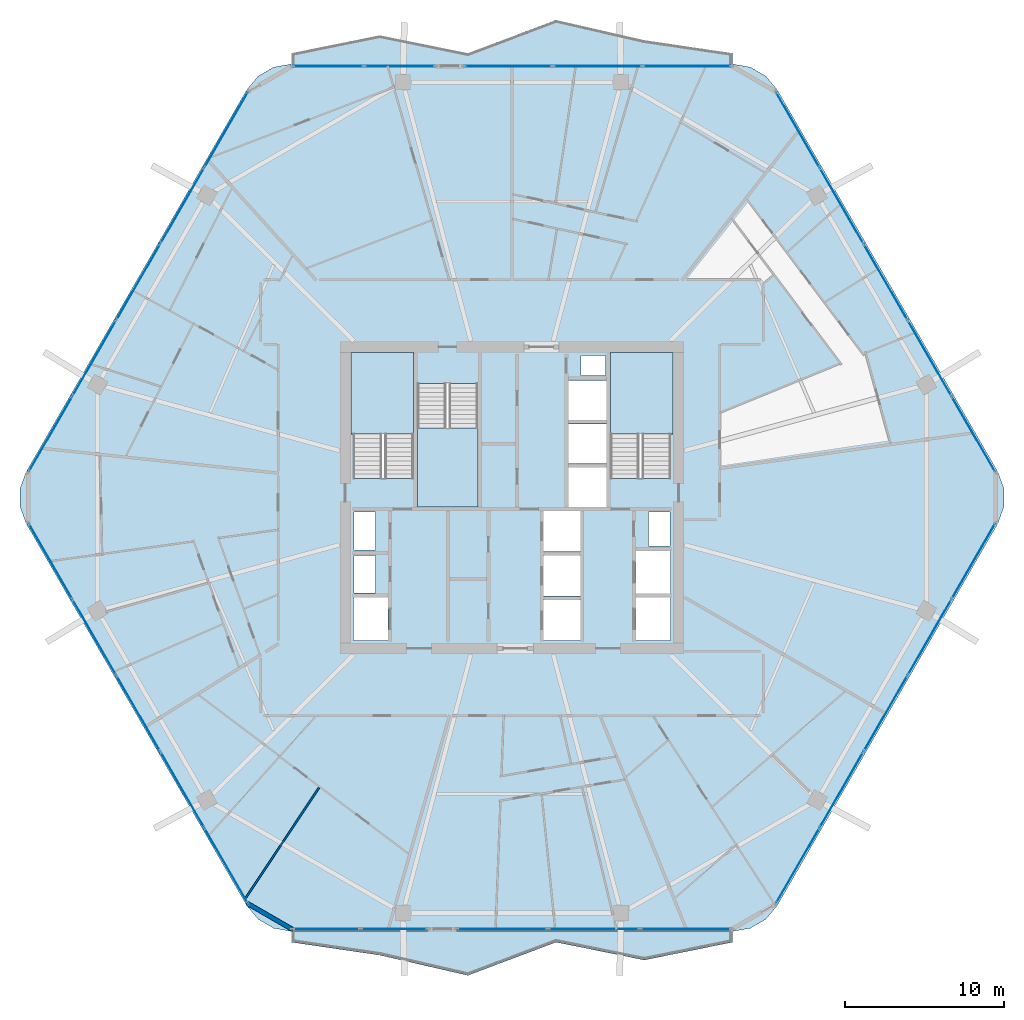
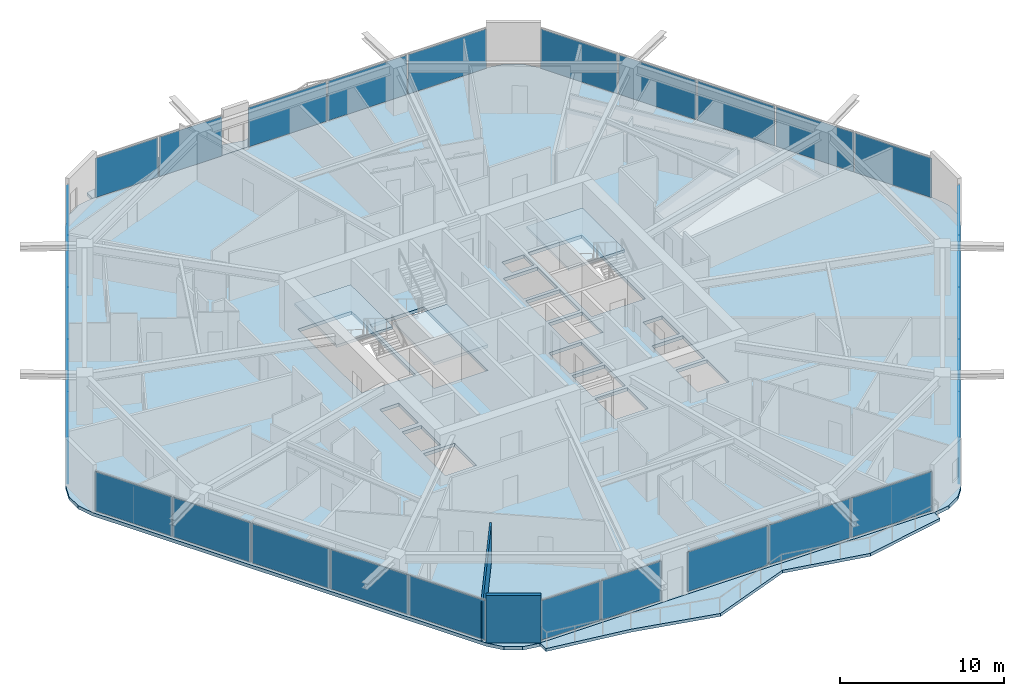
# One storey, part 16 of 25: 30 plates, 6 slabs, 2 walls, 11 elements without a shape of their own.
"""IFC4 building model written with IfcOpenShell, lengths in metres."""

from ifc_helpers import new_model, si_unit, direction, frame, frame_2d, origin, origin_2d, place, context, subcontext, project, spatial, polyline, rectangle, outline, extrude, material, layer, layer_set, type_object, element, aggregate, save


model = new_model("IFC4")

# Units and contexts
model_context = context("Model", 3, precision=1e-05, world=origin(), true_north=direction((0.0, 1.0)))
body_context = subcontext(model_context, "Body", "Model", "MODEL_VIEW")
ifc_project = project(units=[si_unit("LENGTHUNIT", "METRE"), si_unit("AREAUNIT", "SQUARE_METRE"), si_unit("VOLUMEUNIT", "CUBIC_METRE"), si_unit("PLANEANGLEUNIT", "RADIAN"), si_unit("MASSUNIT", "GRAM", prefix="KILO")], contexts=[model_context])

# Site, building, storey
site_placement = place(None, origin())
site = spatial("IfcSite", under=ifc_project, at=site_placement, CompositionType="ELEMENT")
building_placement = place(site_placement, origin())
building = spatial("IfcBuilding", under=site, at=building_placement, Name="Zuhravey Tower", CompositionType="ELEMENT")
storey_placement = place(building_placement, frame((0.0, 0.0, 150.39990234375)))
storey = spatial("IfcBuildingStorey", under=building, at=storey_placement, Name="L37", CompositionType="ELEMENT", Elevation=150.39990234375)

# Slabs
ifc_material_1 = material(Name="Concrete C50/60", Category="concrete")
ifc_layer_1 = layer(ifc_material_1, 0.25)
ifc_layer_set_1 = layer_set([ifc_layer_1], Name="Concrete C50/60")
slab_type_1 = type_object("IfcSlabType", Name="Residential Acoustic Slab 250", PredefinedType="FLOOR", material=ifc_layer_set_1)
slab_1_placement = place(storey_placement, frame((0.0, 0.0, -0.25)))
element("IfcSlab", 1, at=slab_1_placement, inside=storey, type_object=slab_type_1, Name="L37 Floor Slab FS25", PredefinedType="FLOOR", context=body_context, shape_type="SweptSolid", body=[
    extrude(outline(polyline([(66.61181640625, 30.375), (66.997802734375, 31.435546875), (66.997802734375, 32.564453125), (66.61181640625, 33.625), (52.713134765625, 57.697998046875), (51.98779296875, 58.562744140625), (51.01025390625, 59.127197265625), (49.898681640625, 59.322998046875), (22.101318359375, 59.322998046875), (20.98974609375, 59.127197265625), (20.01220703125, 58.562744140625), (19.286865234375, 57.697998046875), (5.38818359375, 33.625), (5.002197265625, 32.564453125), (5.002197265625, 31.435546875), (5.38818359375, 30.375), (19.286865234375, 6.302001953125), (20.01220703125, 5.437255859375), (20.98974609375, 4.872802734375), (22.101318359375, 4.677001953125), (49.898681640625, 4.677001953125), (51.01025390625, 4.872802734375), (51.98779296875, 5.437255859375), (52.713134765625, 6.302001953125), (66.61181640625, 30.375)]), holes=[polyline([(29.800048828125, 33.20068359375), (29.800048828125, 41.0), (26.0, 41.0), (26.0, 33.20068359375), (29.800048828125, 33.20068359375)]), polyline([(46.0, 33.20068359375), (46.0, 41.0), (42.199951171875, 41.0), (42.199951171875, 33.20068359375), (46.0, 33.20068359375)]), polyline([(30.050048828125, 39.199462890625), (30.050048828125, 31.39990234375), (33.85009765625, 31.39990234375), (33.85009765625, 39.199462890625), (30.050048828125, 39.199462890625)]), polyline([(38.0, 23.0), (40.300048828125, 23.0), (40.300048828125, 25.550048828125), (38.0, 25.550048828125), (38.0, 23.0)]), polyline([(38.0, 25.800048828125), (40.300048828125, 25.800048828125), (40.300048828125, 28.35009765625), (38.0, 28.35009765625), (38.0, 25.800048828125)]), polyline([(38.0, 28.60009765625), (40.300048828125, 28.60009765625), (40.300048828125, 31.14990234375), (38.0, 31.14990234375), (38.0, 28.60009765625)]), polyline([(39.550048828125, 31.39990234375), (41.949951171875, 31.39990234375), (41.949951171875, 33.89990234375), (39.550048828125, 33.89990234375), (39.550048828125, 31.39990234375)]), polyline([(39.550048828125, 34.14990234375), (41.949951171875, 34.14990234375), (41.949951171875, 36.64990234375), (39.550048828125, 36.64990234375), (39.550048828125, 34.14990234375)]), polyline([(39.550048828125, 36.89990234375), (41.949951171875, 36.89990234375), (41.949951171875, 39.39990234375), (39.550048828125, 39.39990234375), (39.550048828125, 36.89990234375)]), polyline([(26.0, 23.0), (28.199951171875, 23.0), (28.199951171875, 25.699951171875), (26.0, 25.699951171875), (26.0, 23.0)]), polyline([(43.800048828125, 23.0), (46.0, 23.0), (46.0, 25.699951171875), (43.800048828125, 25.699951171875), (43.800048828125, 23.0)]), polyline([(43.800048828125, 25.949951171875), (46.0, 25.949951171875), (46.0, 28.64990234375), (43.800048828125, 28.64990234375), (43.800048828125, 25.949951171875)]), polyline([(26.050048828125, 26.0), (27.39990234375, 26.0), (27.39990234375, 28.35009765625), (26.050048828125, 28.35009765625), (26.050048828125, 26.0)]), polyline([(26.050048828125, 28.699951171875), (27.39990234375, 28.699951171875), (27.39990234375, 31.10009765625), (26.050048828125, 31.10009765625), (26.050048828125, 28.699951171875)]), polyline([(44.60009765625, 28.949951171875), (45.949951171875, 28.949951171875), (45.949951171875, 31.10009765625), (44.60009765625, 31.10009765625), (44.60009765625, 28.949951171875)]), polyline([(40.35009765625, 39.699951171875), (41.89990234375, 39.699951171875), (41.89990234375, 40.949951171875), (40.35009765625, 40.949951171875), (40.35009765625, 39.699951171875)])]), origin(), (0.0, 0.0, 1.0), 0.25),
])
ifc_material_2 = material(Name="Concrete C40/50", Category="concrete")
ifc_layer_2 = layer(ifc_material_2, 0.219970703125)
ifc_layer_set_2 = layer_set([ifc_layer_2], Name="Concrete C40/50")
slab_type_2 = type_object("IfcSlabType", Name="Sinusoidal Residential Wave Balcony 220", PredefinedType="FLOOR", material=ifc_layer_set_2)
slab_2_placement = place(storey_placement, frame((0.0, 0.0, -0.219970703125)))
element("IfcSlab", 2, at=slab_2_placement, inside=storey, type_object=slab_type_2, Name="L37 Face 2 Wave Balcony WB22", PredefinedType="FLOOR", context=body_context, shape_type="SweptSolid", body=[
    extrude(outline(polyline([(49.889892578125, 59.30810546875), (22.110107421875, 59.30810546875), (22.110107421875, 60.008056640625), (27.666015625, 61.1318359375), (33.221923828125, 60.005859375), (38.778076171875, 62.097412109375), (44.333984375, 60.823486328125), (49.889892578125, 60.008056640625), (49.889892578125, 59.30810546875)])), origin(), (0.0, 0.0, 1.0), 0.219970703125),
])
slab_3_placement = place(storey_placement, frame((0.0, 0.0, -0.219970703125)))
element("IfcSlab", 3, at=slab_3_placement, inside=storey, type_object=slab_type_2, Name="L37 Face 5 Wave Balcony WB22", PredefinedType="FLOOR", context=body_context, shape_type="SweptSolid", body=[
    extrude(outline(polyline([(22.110107421875, 4.69189453125), (49.889892578125, 4.69189453125), (49.889892578125, 3.991943359375), (44.333984375, 2.8681640625), (38.778076171875, 3.994140625), (33.221923828125, 1.902587890625), (27.666015625, 3.176513671875), (22.110107421875, 3.991943359375), (22.110107421875, 4.69189453125)])), origin(), (0.0, 0.0, 1.0), 0.219970703125),
])

# Stair, slab
stair_type = type_object("IfcStairType", Name="Housing Storey Stair Assembly 3800", PredefinedType="HALF_TURN_STAIR", material=ifc_material_2)
stair_1_placement = place(storey_placement, origin())
stair_1 = element("IfcStair", 4, at=stair_1_placement, inside=storey, type_object=stair_type, Name="L37 Core Exit Stair ST1", PredefinedType="HALF_TURN_STAIR")
ifc_layer_3 = layer(ifc_material_2, 0.199951171875)
ifc_layer_set_3 = layer_set([ifc_layer_3], Name="Concrete C40/50")
slab_type_3 = type_object("IfcSlabType", Name="Stair Landing Slab 200", PredefinedType="LANDING", material=ifc_layer_set_3)
slab_4_placement = place(storey_placement, frame((0.0, 0.0, 1.7001953125)))
slab_4 = element("IfcSlab", 5, at=slab_4_placement, type_object=slab_type_3, Name="ST1 landing 1", PredefinedType="LANDING", context=body_context, shape_type="SweptSolid", body=[
    extrude(outline(polyline([(29.800048828125, 36.0), (29.800048828125, 41.14794921875), (25.85205078125, 41.14794921875), (25.85205078125, 36.0), (29.800048828125, 36.0)])), origin(), (0.0, 0.0, 1.0), 0.199951171875),
])
aggregate(stair_1, [slab_4])

stair_2_placement = place(storey_placement, origin())
stair_2 = element("IfcStair", 6, at=stair_2_placement, inside=storey, type_object=stair_type, Name="L37 Core Exit Stair ST2", PredefinedType="HALF_TURN_STAIR")
slab_5_placement = place(storey_placement, frame((0.0, 0.0, 1.7001953125)))
slab_5 = element("IfcSlab", 7, at=slab_5_placement, type_object=slab_type_3, Name="ST2 landing 1", PredefinedType="LANDING", context=body_context, shape_type="SweptSolid", body=[
    extrude(outline(polyline([(46.14794921875, 36.0), (46.14794921875, 41.14794921875), (42.199951171875, 41.14794921875), (42.199951171875, 36.0), (46.14794921875, 36.0)])), origin(), (0.0, 0.0, 1.0), 0.199951171875),
])
aggregate(stair_2, [slab_5])

stair_3_placement = place(storey_placement, origin())
stair_3 = element("IfcStair", 8, at=stair_3_placement, inside=storey, type_object=stair_type, Name="L37 Core Exit Stair ST3", PredefinedType="HALF_TURN_STAIR")
slab_6_placement = place(storey_placement, frame((0.0, 0.0, 1.7001953125)))
slab_6 = element("IfcSlab", 9, at=slab_6_placement, type_object=slab_type_3, Name="ST3 landing 1", PredefinedType="LANDING", context=body_context, shape_type="SweptSolid", body=[
    extrude(outline(polyline([(30.050048828125, 36.39990234375), (30.050048828125, 31.39990234375), (33.85009765625, 31.39990234375), (33.85009765625, 36.39990234375), (30.050048828125, 36.39990234375)])), origin(), (0.0, 0.0, 1.0), 0.199951171875),
])
aggregate(stair_3, [slab_6])

# Curtain wall, plates
ifc_material_3 = material(Name="Thermally broken anodised aluminium", Category="aluminium")
curtain_wall_type = type_object("IfcCurtainWallType", Name="Zone 1-2 Residential Curtain Wall CW3", PredefinedType="NOTDEFINED", material=ifc_material_3)
curtain_wall_1_placement = place(storey_placement, origin())
curtain_wall_1 = element("IfcCurtainWall", 10, at=curtain_wall_1_placement, inside=storey, type_object=curtain_wall_type, Name="L37 CW3 CW-L37-F6-1", PredefinedType="NOTDEFINED")
ifc_material_4 = material(Name="Triple low-E insulated vision glass", Category="glass")
ifc_layer_4 = layer(ifc_material_4, 0.0419921875)
ifc_layer_set_4 = layer_set([ifc_layer_4], Name="Triple low-E insulated vision glass")
plate_type = type_object("IfcPlateType", Name="Triple Low-E Vision Panel", PredefinedType="CURTAIN_PANEL", material=ifc_layer_set_4)
plate_1_placement = place(storey_placement, frame((65.074462890625, 27.9921875, 0.090087890625), z_axis=(0.0, 0.0, 1.0), x_axis=(-0.500000459979, -0.866025138215, 0.0)))
plate_1 = element("IfcPlate", 11, at=plate_1_placement, type_object=plate_type, Name="CW3 panel 1.1", PredefinedType="CURTAIN_PANEL", context=body_context, shape_type="SweptSolid", body=[
    extrude(rectangle(XDim=5.409423828125, YDim=0.0419921875, at=origin_2d()), origin(), (0.0, 0.0, 1.0), 2.94189453125),
])
plate_2_placement = place(storey_placement, frame((62.3134765625, 23.2099609375, 0.090087890625), z_axis=(0.0, 0.0, 1.0), x_axis=(-0.500000459979, -0.866025138215, 0.0)))
plate_2 = element("IfcPlate", 12, at=plate_2_placement, type_object=plate_type, Name="CW3 panel 2.1", PredefinedType="CURTAIN_PANEL", context=body_context, shape_type="SweptSolid", body=[
    extrude(rectangle(XDim=5.454345703125, YDim=0.0419921875, at=origin_2d()), origin(), (0.0, 0.0, 1.0), 2.94189453125),
])
plate_3_placement = place(storey_placement, frame((59.541259765625, 18.408447265625, 0.090087890625), z_axis=(0.0, 0.0, 1.0), x_axis=(-0.500000459979, -0.866025138215, 0.0)))
plate_3 = element("IfcPlate", 13, at=plate_3_placement, type_object=plate_type, Name="CW3 panel 3.1", PredefinedType="CURTAIN_PANEL", context=body_context, shape_type="SweptSolid", body=[
    extrude(rectangle(XDim=5.454345703125, YDim=0.0419921875, at=origin_2d()), origin(), (0.0, 0.0, 1.0), 2.94189453125),
])
plate_4_placement = place(storey_placement, frame((56.76904296875, 13.60693359375, 0.090087890625), z_axis=(0.0, 0.0, 1.0), x_axis=(-0.500000459979, -0.866025138215, 0.0)))
plate_4 = element("IfcPlate", 14, at=plate_4_placement, type_object=plate_type, Name="CW3 panel 4.1", PredefinedType="CURTAIN_PANEL", context=body_context, shape_type="SweptSolid", body=[
    extrude(rectangle(XDim=5.454345703125, YDim=0.0419921875, at=origin_2d()), origin(), (0.0, 0.0, 1.0), 2.94189453125),
])
plate_5_placement = place(storey_placement, frame((54.008056640625, 8.82470703125, 0.090087890625), z_axis=(0.0, 0.0, 1.0), x_axis=(-0.500000459979, -0.866025138215, 0.0)))
plate_5 = element("IfcPlate", 15, at=plate_5_placement, type_object=plate_type, Name="CW3 panel 5.1", PredefinedType="CURTAIN_PANEL", context=body_context, shape_type="SweptSolid", body=[
    extrude(rectangle(XDim=5.409423828125, YDim=0.0419921875, at=origin_2d()), origin(), (0.0, 0.0, 1.0), 2.94189453125),
])
aggregate(curtain_wall_1, [plate_1, plate_2, plate_3, plate_4, plate_5])

curtain_wall_2_placement = place(storey_placement, origin())
curtain_wall_2 = element("IfcCurtainWall", 16, at=curtain_wall_2_placement, inside=storey, type_object=curtain_wall_type, Name="L37 CW3 CW-L37-F5-1", PredefinedType="NOTDEFINED")
plate_6_placement = place(storey_placement, frame((46.939208984375, 4.81689453125, 0.090087890625), z_axis=(0.0, 0.0, 1.0), x_axis=(-1.0, 0.0, 0.0)))
plate_6 = element("IfcPlate", 17, at=plate_6_placement, type_object=plate_type, Name="CW3 panel 1.1", PredefinedType="CURTAIN_PANEL", context=body_context, shape_type="SweptSolid", body=[
    extrude(rectangle(XDim=5.663818359375, YDim=0.0419921875, at=origin_2d()), origin(), (0.0, 0.0, 1.0), 2.94189453125),
])
plate_7_placement = place(storey_placement, frame((41.162841796875, 4.81689453125, 0.090087890625), z_axis=(0.0, 0.0, 1.0), x_axis=(-1.0, 0.0, 0.0)))
plate_7 = element("IfcPlate", 18, at=plate_7_placement, type_object=plate_type, Name="CW3 panel 2.1", PredefinedType="CURTAIN_PANEL", context=body_context, shape_type="SweptSolid", body=[
    extrude(rectangle(XDim=5.708740234375, YDim=0.0419921875, at=origin_2d()), origin(), (0.0, 0.0, 1.0), 2.94189453125),
])
plate_8_placement = place(storey_placement, frame((35.386474609375, 4.81689453125, 0.090087890625), z_axis=(0.0, 0.0, 1.0), x_axis=(-1.0, 0.0, 0.0)))
plate_8 = element("IfcPlate", 19, at=plate_8_placement, type_object=plate_type, Name="CW3 panel 3.1", PredefinedType="CURTAIN_PANEL", context=body_context, shape_type="SweptSolid", body=[
    extrude(rectangle(XDim=5.663818359375, YDim=0.0419921875, at=origin_2d()), origin(), (0.0, 0.0, 1.0), 2.94189453125),
])
aggregate(curtain_wall_2, [plate_6, plate_7, plate_8])

curtain_wall_3_placement = place(storey_placement, origin())
curtain_wall_3 = element("IfcCurtainWall", 20, at=curtain_wall_3_placement, inside=storey, type_object=curtain_wall_type, Name="L37 CW3 CW-L37-F5-2", PredefinedType="NOTDEFINED")
plate_9_placement = place(storey_placement, frame((28.585693359375, 4.81689453125, 0.090087890625), z_axis=(0.0, 0.0, 1.0), x_axis=(-1.0, 0.0, 0.0)))
plate_9 = element("IfcPlate", 21, at=plate_9_placement, type_object=plate_type, Name="CW3 panel 1.1", PredefinedType="CURTAIN_PANEL", context=body_context, shape_type="SweptSolid", body=[
    extrude(rectangle(XDim=4.177734375, YDim=0.0419921875, at=origin_2d()), origin(), (0.0, 0.0, 1.0), 2.94189453125),
])
plate_10_placement = place(storey_placement, frame((24.31787109375, 4.81689453125, 0.090087890625), z_axis=(0.0, 0.0, 1.0), x_axis=(-1.0, 0.0, 0.0)))
plate_10 = element("IfcPlate", 22, at=plate_10_placement, type_object=plate_type, Name="CW3 panel 2.1", PredefinedType="CURTAIN_PANEL", context=body_context, shape_type="SweptSolid", body=[
    extrude(rectangle(XDim=4.177734375, YDim=0.0419921875, at=origin_2d()), origin(), (0.0, 0.0, 1.0), 2.94189453125),
])
aggregate(curtain_wall_3, [plate_9, plate_10])

curtain_wall_4_placement = place(storey_placement, origin())
curtain_wall_4 = element("IfcCurtainWall", 23, at=curtain_wall_4_placement, inside=storey, type_object=curtain_wall_type, Name="L37 CW3 CW-L37-F4-1", PredefinedType="NOTDEFINED")
plate_11_placement = place(storey_placement, frame((17.991943359375, 8.82470703125, 0.090087890625), z_axis=(0.0, 0.0, 1.0), x_axis=(-0.500000459979, 0.866025138215, 0.0)))
plate_11 = element("IfcPlate", 24, at=plate_11_placement, type_object=plate_type, Name="CW3 panel 1.1", PredefinedType="CURTAIN_PANEL", context=body_context, shape_type="SweptSolid", body=[
    extrude(rectangle(XDim=5.409423828125, YDim=0.0419921875, at=origin_2d()), origin(), (0.0, 0.0, 1.0), 2.94189453125),
])
plate_12_placement = place(storey_placement, frame((15.23095703125, 13.60693359375, 0.090087890625), z_axis=(0.0, 0.0, 1.0), x_axis=(-0.500000459979, 0.866025138215, 0.0)))
plate_12 = element("IfcPlate", 25, at=plate_12_placement, type_object=plate_type, Name="CW3 panel 2.1", PredefinedType="CURTAIN_PANEL", context=body_context, shape_type="SweptSolid", body=[
    extrude(rectangle(XDim=5.454345703125, YDim=0.0419921875, at=origin_2d()), origin(), (0.0, 0.0, 1.0), 2.94189453125),
])
plate_13_placement = place(storey_placement, frame((12.458740234375, 18.408447265625, 0.090087890625), z_axis=(0.0, 0.0, 1.0), x_axis=(-0.500000459979, 0.866025138215, 0.0)))
plate_13 = element("IfcPlate", 26, at=plate_13_placement, type_object=plate_type, Name="CW3 panel 3.1", PredefinedType="CURTAIN_PANEL", context=body_context, shape_type="SweptSolid", body=[
    extrude(rectangle(XDim=5.454345703125, YDim=0.0419921875, at=origin_2d()), origin(), (0.0, 0.0, 1.0), 2.94189453125),
])
plate_14_placement = place(storey_placement, frame((9.6865234375, 23.2099609375, 0.090087890625), z_axis=(0.0, 0.0, 1.0), x_axis=(-0.500000459979, 0.866025138215, 0.0)))
plate_14 = element("IfcPlate", 27, at=plate_14_placement, type_object=plate_type, Name="CW3 panel 4.1", PredefinedType="CURTAIN_PANEL", context=body_context, shape_type="SweptSolid", body=[
    extrude(rectangle(XDim=5.454345703125, YDim=0.0419921875, at=origin_2d()), origin(), (0.0, 0.0, 1.0), 2.94189453125),
])
plate_15_placement = place(storey_placement, frame((6.925537109375, 27.9921875, 0.090087890625), z_axis=(0.0, 0.0, 1.0), x_axis=(-0.500000459979, 0.866025138215, 0.0)))
plate_15 = element("IfcPlate", 28, at=plate_15_placement, type_object=plate_type, Name="CW3 panel 5.1", PredefinedType="CURTAIN_PANEL", context=body_context, shape_type="SweptSolid", body=[
    extrude(rectangle(XDim=5.409423828125, YDim=0.0419921875, at=origin_2d()), origin(), (0.0, 0.0, 1.0), 2.94189453125),
])
aggregate(curtain_wall_4, [plate_11, plate_12, plate_13, plate_14, plate_15])

curtain_wall_5_placement = place(storey_placement, origin())
curtain_wall_5 = element("IfcCurtainWall", 29, at=curtain_wall_5_placement, inside=storey, type_object=curtain_wall_type, Name="L37 CW3 CW-L37-F3-1", PredefinedType="NOTDEFINED")
plate_16_placement = place(storey_placement, frame((6.925537109375, 36.0078125, 0.090087890625), z_axis=(0.0, 0.0, 1.0), x_axis=(0.500000459979, 0.866025138215, 0.0)))
plate_16 = element("IfcPlate", 30, at=plate_16_placement, type_object=plate_type, Name="CW3 panel 1.1", PredefinedType="CURTAIN_PANEL", context=body_context, shape_type="SweptSolid", body=[
    extrude(rectangle(XDim=5.409423828125, YDim=0.0419921875, at=origin_2d()), origin(), (0.0, 0.0, 1.0), 2.94189453125),
])
plate_17_placement = place(storey_placement, frame((9.6865234375, 40.7900390625, 0.090087890625), z_axis=(0.0, 0.0, 1.0), x_axis=(0.500000459979, 0.866025138215, 0.0)))
plate_17 = element("IfcPlate", 31, at=plate_17_placement, type_object=plate_type, Name="CW3 panel 2.1", PredefinedType="CURTAIN_PANEL", context=body_context, shape_type="SweptSolid", body=[
    extrude(rectangle(XDim=5.454345703125, YDim=0.0419921875, at=origin_2d()), origin(), (0.0, 0.0, 1.0), 2.94189453125),
])
plate_18_placement = place(storey_placement, frame((12.458740234375, 45.591552734375, 0.090087890625), z_axis=(0.0, 0.0, 1.0), x_axis=(0.500000459979, 0.866025138215, 0.0)))
plate_18 = element("IfcPlate", 32, at=plate_18_placement, type_object=plate_type, Name="CW3 panel 3.1", PredefinedType="CURTAIN_PANEL", context=body_context, shape_type="SweptSolid", body=[
    extrude(rectangle(XDim=5.454345703125, YDim=0.0419921875, at=origin_2d()), origin(), (0.0, 0.0, 1.0), 2.94189453125),
])
plate_19_placement = place(storey_placement, frame((15.23095703125, 50.39306640625, 0.090087890625), z_axis=(0.0, 0.0, 1.0), x_axis=(0.500000459979, 0.866025138215, 0.0)))
plate_19 = element("IfcPlate", 33, at=plate_19_placement, type_object=plate_type, Name="CW3 panel 4.1", PredefinedType="CURTAIN_PANEL", context=body_context, shape_type="SweptSolid", body=[
    extrude(rectangle(XDim=5.454345703125, YDim=0.0419921875, at=origin_2d()), origin(), (0.0, 0.0, 1.0), 2.94189453125),
])
plate_20_placement = place(storey_placement, frame((17.991943359375, 55.17529296875, 0.090087890625), z_axis=(0.0, 0.0, 1.0), x_axis=(0.500000459979, 0.866025138215, 0.0)))
plate_20 = element("IfcPlate", 34, at=plate_20_placement, type_object=plate_type, Name="CW3 panel 5.1", PredefinedType="CURTAIN_PANEL", context=body_context, shape_type="SweptSolid", body=[
    extrude(rectangle(XDim=5.409423828125, YDim=0.0419921875, at=origin_2d()), origin(), (0.0, 0.0, 1.0), 2.94189453125),
])
aggregate(curtain_wall_5, [plate_16, plate_17, plate_18, plate_19, plate_20])

curtain_wall_6_placement = place(storey_placement, origin())
curtain_wall_6 = element("IfcCurtainWall", 35, at=curtain_wall_6_placement, inside=storey, type_object=curtain_wall_type, Name="L37 CW3 CW-L37-F2-1", PredefinedType="NOTDEFINED")
plate_21_placement = place(storey_placement, frame((24.431884765625, 59.18310546875, 0.090087890625), z_axis=(0.0, 0.0, 1.0), x_axis=(1.0, 0.0, 0.0)))
plate_21 = element("IfcPlate", 36, at=plate_21_placement, type_object=plate_type, Name="CW3 panel 1.1", PredefinedType="CURTAIN_PANEL", context=body_context, shape_type="SweptSolid", body=[
    extrude(rectangle(XDim=4.406005859375, YDim=0.0419921875, at=origin_2d()), origin(), (0.0, 0.0, 1.0), 2.94189453125),
])
plate_22_placement = place(storey_placement, frame((28.927734375, 59.18310546875, 0.090087890625), z_axis=(0.0, 0.0, 1.0), x_axis=(1.0, 0.0, 0.0)))
plate_22 = element("IfcPlate", 37, at=plate_22_placement, type_object=plate_type, Name="CW3 panel 2.1", PredefinedType="CURTAIN_PANEL", context=body_context, shape_type="SweptSolid", body=[
    extrude(rectangle(XDim=4.406005859375, YDim=0.0419921875, at=origin_2d()), origin(), (0.0, 0.0, 1.0), 2.94189453125),
])
aggregate(curtain_wall_6, [plate_21, plate_22])

curtain_wall_7_placement = place(storey_placement, origin())
curtain_wall_7 = element("IfcCurtainWall", 38, at=curtain_wall_7_placement, inside=storey, type_object=curtain_wall_type, Name="L37 CW3 CW-L37-F2-2", PredefinedType="NOTDEFINED")
plate_23_placement = place(storey_placement, frame((35.7666015625, 59.18310546875, 0.090087890625), z_axis=(0.0, 0.0, 1.0), x_axis=(1.0, 0.0, 0.0)))
plate_23 = element("IfcPlate", 39, at=plate_23_placement, type_object=plate_type, Name="CW3 panel 1.1", PredefinedType="CURTAIN_PANEL", context=body_context, shape_type="SweptSolid", body=[
    extrude(rectangle(XDim=5.51171875, YDim=0.0419921875, at=origin_2d()), origin(), (0.0, 0.0, 1.0), 2.94189453125),
])
plate_24_placement = place(storey_placement, frame((41.390869140625, 59.18310546875, 0.090087890625), z_axis=(0.0, 0.0, 1.0), x_axis=(1.0, 0.0, 0.0)))
plate_24 = element("IfcPlate", 40, at=plate_24_placement, type_object=plate_type, Name="CW3 panel 2.1", PredefinedType="CURTAIN_PANEL", context=body_context, shape_type="SweptSolid", body=[
    extrude(rectangle(XDim=5.556884765625, YDim=0.0419921875, at=origin_2d()), origin(), (0.0, 0.0, 1.0), 2.94189453125),
])
plate_25_placement = place(storey_placement, frame((47.01513671875, 59.18310546875, 0.090087890625), z_axis=(0.0, 0.0, 1.0), x_axis=(1.0, 0.0, 0.0)))
plate_25 = element("IfcPlate", 41, at=plate_25_placement, type_object=plate_type, Name="CW3 panel 3.1", PredefinedType="CURTAIN_PANEL", context=body_context, shape_type="SweptSolid", body=[
    extrude(rectangle(XDim=5.51171875, YDim=0.0419921875, at=origin_2d()), origin(), (0.0, 0.0, 1.0), 2.94189453125),
])
aggregate(curtain_wall_7, [plate_23, plate_24, plate_25])

curtain_wall_8_placement = place(storey_placement, origin())
curtain_wall_8 = element("IfcCurtainWall", 42, at=curtain_wall_8_placement, inside=storey, type_object=curtain_wall_type, Name="L37 CW3 CW-L37-F1-1", PredefinedType="NOTDEFINED")
plate_26_placement = place(storey_placement, frame((54.008056640625, 55.17529296875, 0.090087890625), z_axis=(0.0, 0.0, 1.0), x_axis=(0.500000459979, -0.866025138215, 0.0)))
plate_26 = element("IfcPlate", 43, at=plate_26_placement, type_object=plate_type, Name="CW3 panel 1.1", PredefinedType="CURTAIN_PANEL", context=body_context, shape_type="SweptSolid", body=[
    extrude(rectangle(XDim=5.409423828125, YDim=0.0419921875, at=origin_2d()), origin(), (0.0, 0.0, 1.0), 2.94189453125),
])
plate_27_placement = place(storey_placement, frame((56.76904296875, 50.39306640625, 0.090087890625), z_axis=(0.0, 0.0, 1.0), x_axis=(0.500000459979, -0.866025138215, 0.0)))
plate_27 = element("IfcPlate", 44, at=plate_27_placement, type_object=plate_type, Name="CW3 panel 2.1", PredefinedType="CURTAIN_PANEL", context=body_context, shape_type="SweptSolid", body=[
    extrude(rectangle(XDim=5.454345703125, YDim=0.0419921875, at=origin_2d()), origin(), (0.0, 0.0, 1.0), 2.94189453125),
])
plate_28_placement = place(storey_placement, frame((59.541259765625, 45.591552734375, 0.090087890625), z_axis=(0.0, 0.0, 1.0), x_axis=(0.500000459979, -0.866025138215, 0.0)))
plate_28 = element("IfcPlate", 45, at=plate_28_placement, type_object=plate_type, Name="CW3 panel 3.1", PredefinedType="CURTAIN_PANEL", context=body_context, shape_type="SweptSolid", body=[
    extrude(rectangle(XDim=5.454345703125, YDim=0.0419921875, at=origin_2d()), origin(), (0.0, 0.0, 1.0), 2.94189453125),
])
plate_29_placement = place(storey_placement, frame((62.3134765625, 40.7900390625, 0.090087890625), z_axis=(0.0, 0.0, 1.0), x_axis=(0.500000459979, -0.866025138215, 0.0)))
plate_29 = element("IfcPlate", 46, at=plate_29_placement, type_object=plate_type, Name="CW3 panel 4.1", PredefinedType="CURTAIN_PANEL", context=body_context, shape_type="SweptSolid", body=[
    extrude(rectangle(XDim=5.454345703125, YDim=0.0419921875, at=origin_2d()), origin(), (0.0, 0.0, 1.0), 2.94189453125),
])
plate_30_placement = place(storey_placement, frame((65.074462890625, 36.0078125, 0.090087890625), z_axis=(0.0, 0.0, 1.0), x_axis=(0.500000459979, -0.866025138215, 0.0)))
plate_30 = element("IfcPlate", 47, at=plate_30_placement, type_object=plate_type, Name="CW3 panel 5.1", PredefinedType="CURTAIN_PANEL", context=body_context, shape_type="SweptSolid", body=[
    extrude(rectangle(XDim=5.409423828125, YDim=0.0419921875, at=origin_2d()), origin(), (0.0, 0.0, 1.0), 2.94189453125),
])
aggregate(curtain_wall_8, [plate_26, plate_27, plate_28, plate_29, plate_30])

# Walls
ifc_material_5 = material(Name="Precast concrete C40/50", Category="concrete")
ifc_layer_5 = layer(ifc_material_5, 0.280029296875)
ifc_layer_set_5 = layer_set([ifc_layer_5], Name="Precast concrete C40/50")
wall_type_1 = type_object("IfcWallType", Name="Crown Architectural Wall 280", PredefinedType="SOLIDWALL", material=ifc_layer_set_5)
wall_1_placement = place(storey_placement, frame((22.22119140625, 4.769287109375, 0.0), z_axis=(0.0, 0.0, 1.0), x_axis=(-0.866020068361, 0.500009241111, 0.0)))
element("IfcWall", 48, at=wall_1_placement, inside=storey, type_object=wall_type_1, Name="L37 Rounded Corner Closure Wall EW28-04", PredefinedType="SOLIDWALL", context=body_context, shape_type="SweptSolid", body=[
    extrude(rectangle(XDim=3.365234375, YDim=0.280029296875, at=frame_2d((1.6826171875, 0.0))), origin(), (0.0, 0.0, 1.0), 3.550048828125),
])
ifc_material_6 = material(Name="Gypsum metal-stud partition")
ifc_layer_6 = layer(ifc_material_6, 0.1201171875)
ifc_layer_set_6 = layer_set([ifc_layer_6], Name="Gypsum metal-stud partition")
wall_type_2 = type_object("IfcWallType", Name="Unit Internal Partition 120", PredefinedType="PARTITIONING", material=ifc_layer_set_6)
wall_2_placement = place(storey_placement, frame((23.8427734375, 13.728759765625, 0.0), z_axis=(0.0, 0.0, 1.0), x_axis=(-0.553937627107, -0.832558169304, 0.0)))
element("IfcWall", 49, at=wall_2_placement, inside=storey, type_object=wall_type_2, Name="L37 IW12 Partition 094", PredefinedType="PARTITIONING", context=body_context, shape_type="SweptSolid", body=[
    extrude(rectangle(XDim=8.425048828125, YDim=0.1201171875, at=frame_2d((4.21240234375, 0.0))), origin(), (0.0, 0.0, 1.0), 2.8701171875),
])

save(model, "model.ifc")
